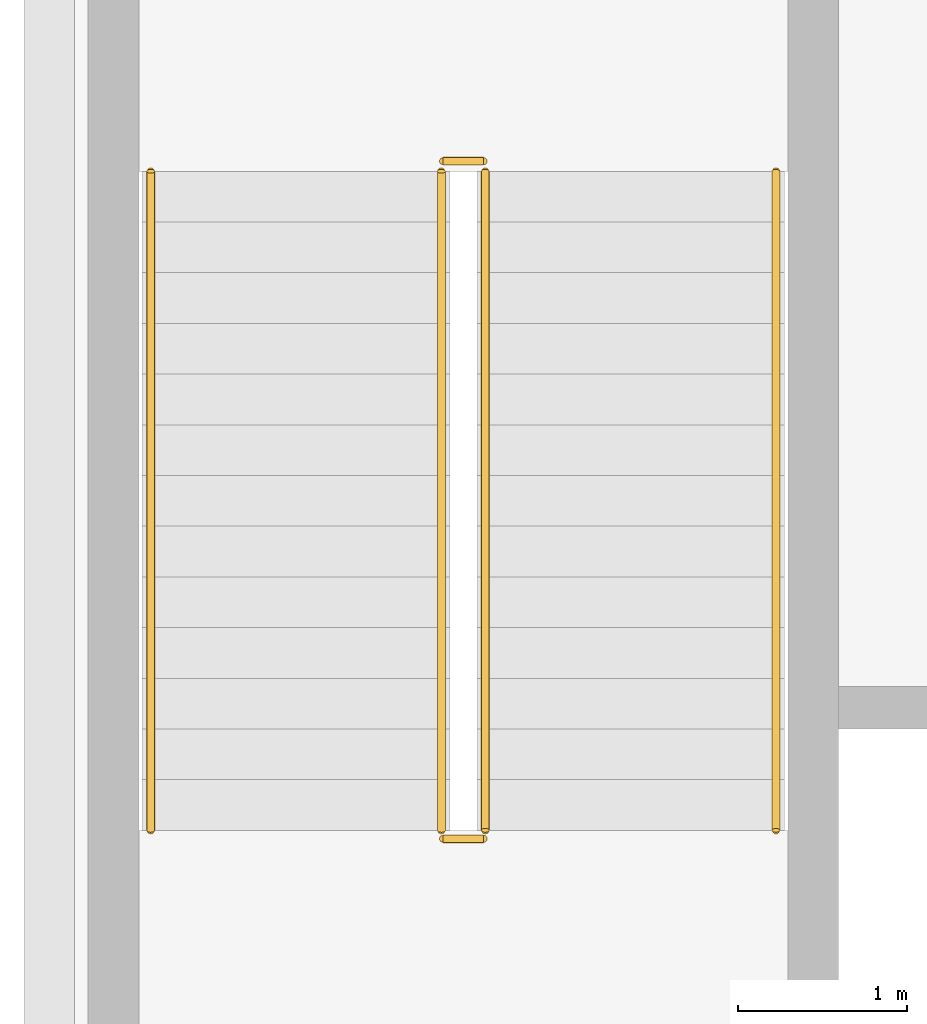
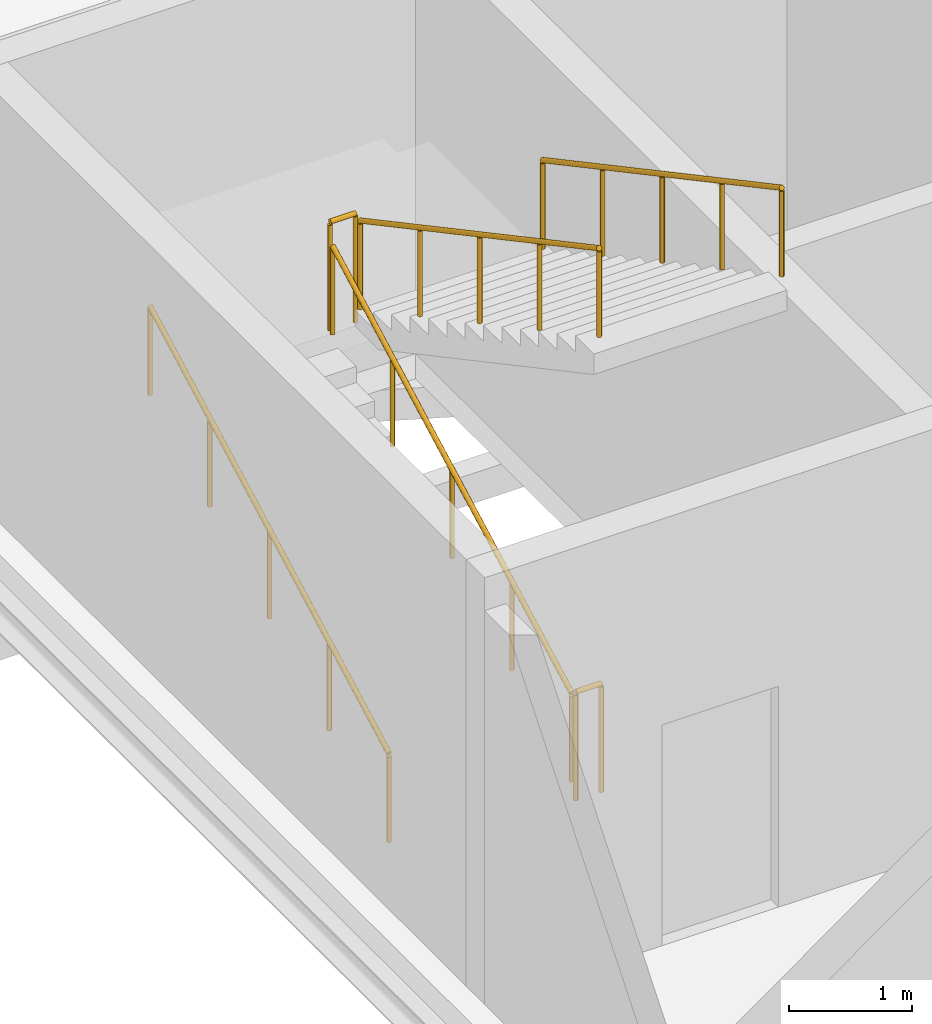
# One storey, part 127 of 130: 6 railings.
"""IFC4 building model written with IfcOpenShell, lengths in metres."""

from ifc_helpers import new_model, si_unit, direction, frame, origin, origin_2d, place, context, subcontext, project, spatial, circle, extrude, material, type_object, element, save


model = new_model("IFC4")

# Units and contexts
model_context = context("Model", 3, precision=1e-05, world=origin(), true_north=direction((0.0, 1.0)))
body_context = subcontext(model_context, "Body", "Model", "MODEL_VIEW")
ifc_project = project(units=[si_unit("LENGTHUNIT", "METRE"), si_unit("AREAUNIT", "SQUARE_METRE"), si_unit("VOLUMEUNIT", "CUBIC_METRE"), si_unit("PLANEANGLEUNIT", "RADIAN"), si_unit("MASSUNIT", "GRAM", prefix="KILO")], contexts=[model_context])

# Site, building, storey
site_placement = place(None, origin())
site = spatial("IfcSite", under=ifc_project, at=site_placement, CompositionType="ELEMENT")
building_placement = place(site_placement, origin())
building = spatial("IfcBuilding", under=site, at=building_placement, Name="Veltarok Museum of Natural Sciences", CompositionType="ELEMENT")
storey_placement = place(building_placement, frame((0.0, 0.0, 12.89990234375)))
storey = spatial("IfcBuildingStorey", under=building, at=storey_placement, Name="L02", CompositionType="ELEMENT", Elevation=12.89990234375)

# Railings
ifc_material = material(Name="Steel S355J2", Category="steel")
railing_type_1 = type_object("IfcRailingType", Name="Interior Atrium and Stairwell Guardrail 1100", PredefinedType="GUARDRAIL", material=ifc_material)
for number, where, name in (
    (1, (42.330078125, 65.050048828125, 0.0), "Stairwell Floor Guard ST-03 L02"),
    (2, (42.330078125, 69.06005859375, 2.25), "Landing Well Guard ST-03-L02-L1"),
):
    element("IfcRailing", number, at=place(storey_placement, frame(where)), inside=storey, type_object=railing_type_1, Name=name, PredefinedType="GUARDRAIL", context=body_context, shape_type="SweptSolid", body=[
        extrude(circle(Radius=0.02392578125, at=origin_2d()), frame((0.0, 0.0, 1.076171875), z_axis=(1.0, 0.0, 0.0), x_axis=(0.0, 1.0, 0.0)), (0.0, 0.0, 1.0), 0.239990234375),
        extrude(circle(Radius=0.02099609375, at=origin_2d()), origin(), (0.0, 0.0, 1.0), 1.052001953125),
        extrude(circle(Radius=0.02099609375, at=origin_2d()), frame((0.239990234375, 0.0, 0.0)), (0.0, 0.0, 1.0), 1.052001953125),
    ])
railing_type_2 = type_object("IfcRailingType", Name="Stair Flight Tubular Steel Handrail 900", PredefinedType="HANDRAIL", material=ifc_material)
for number, where, name in (
    (3, (40.60009765625, 65.10009765625, 0.160888671875), "Stair Handrail ST-03-L02-F1L"),
    (4, (42.320068359375, 65.10009765625, 0.160888671875), "Stair Handrail ST-03-L02-F1R"),
):
    element("IfcRailing", number, at=place(storey_placement, frame(where)), inside=storey, type_object=railing_type_2, Name=name, PredefinedType="HANDRAIL", context=body_context, shape_type="SweptSolid", body=[
        extrude(circle(Radius=0.02392578125, at=origin_2d()), frame((0.0, 0.0, 0.8759765625), z_axis=(0.0, 0.881491454809, 0.472199973632), x_axis=(-1.0, 0.0, 0.0)), (0.0, 0.0, 1.0), 4.42431640625),
        extrude(circle(Radius=0.02099609375, at=origin_2d()), origin(), (0.0, 0.0, 1.0), 0.851806640625),
        extrude(circle(Radius=0.02099609375, at=origin_2d()), frame((0.0, 0.97509765625, 0.522216796875)), (0.0, 0.0, 1.0), 0.851806640625),
        extrude(circle(Radius=0.02099609375, at=origin_2d()), frame((0.0, 1.949951171875, 1.04443359375)), (0.0, 0.0, 1.0), 0.851806640625),
        extrude(circle(Radius=0.02099609375, at=origin_2d()), frame((0.0, 2.9248046875, 1.56689453125)), (0.0, 0.0, 1.0), 0.851806640625),
        extrude(circle(Radius=0.02099609375, at=origin_2d()), frame((0.0, 3.89990234375, 2.089111328125)), (0.0, 0.0, 1.0), 0.851806640625),
    ])
for number, where, name in (
    (5, (42.580078125, 69.0, 2.410888671875), "Stair Handrail ST-03-L02-F2L"),
    (6, (44.300048828125, 69.0, 2.410888671875), "Stair Handrail ST-03-L02-F2R"),
):
    element("IfcRailing", number, at=place(storey_placement, frame(where)), inside=storey, type_object=railing_type_2, Name=name, PredefinedType="HANDRAIL", context=body_context, shape_type="SweptSolid", body=[
        extrude(circle(Radius=0.02392578125, at=origin_2d()), frame((0.0, 0.0, 0.8759765625), z_axis=(0.0, -0.881491454809, 0.472199973632), x_axis=(1.0, 0.0, 0.0)), (0.0, 0.0, 1.0), 4.42431640625),
        extrude(circle(Radius=0.02099609375, at=origin_2d()), origin(), (0.0, 0.0, 1.0), 0.851806640625),
        extrude(circle(Radius=0.02099609375, at=origin_2d()), frame((0.0, -0.97509765625, 0.522216796875)), (0.0, 0.0, 1.0), 0.851806640625),
        extrude(circle(Radius=0.02099609375, at=origin_2d()), frame((0.0, -1.949951171875, 1.04443359375)), (0.0, 0.0, 1.0), 0.851806640625),
        extrude(circle(Radius=0.02099609375, at=origin_2d()), frame((0.0, -2.9248046875, 1.56689453125)), (0.0, 0.0, 1.0), 0.851806640625),
        extrude(circle(Radius=0.02099609375, at=origin_2d()), frame((0.0, -3.89990234375, 2.089111328125)), (0.0, 0.0, 1.0), 0.851806640625),
    ])

save(model, "model.ifc")
